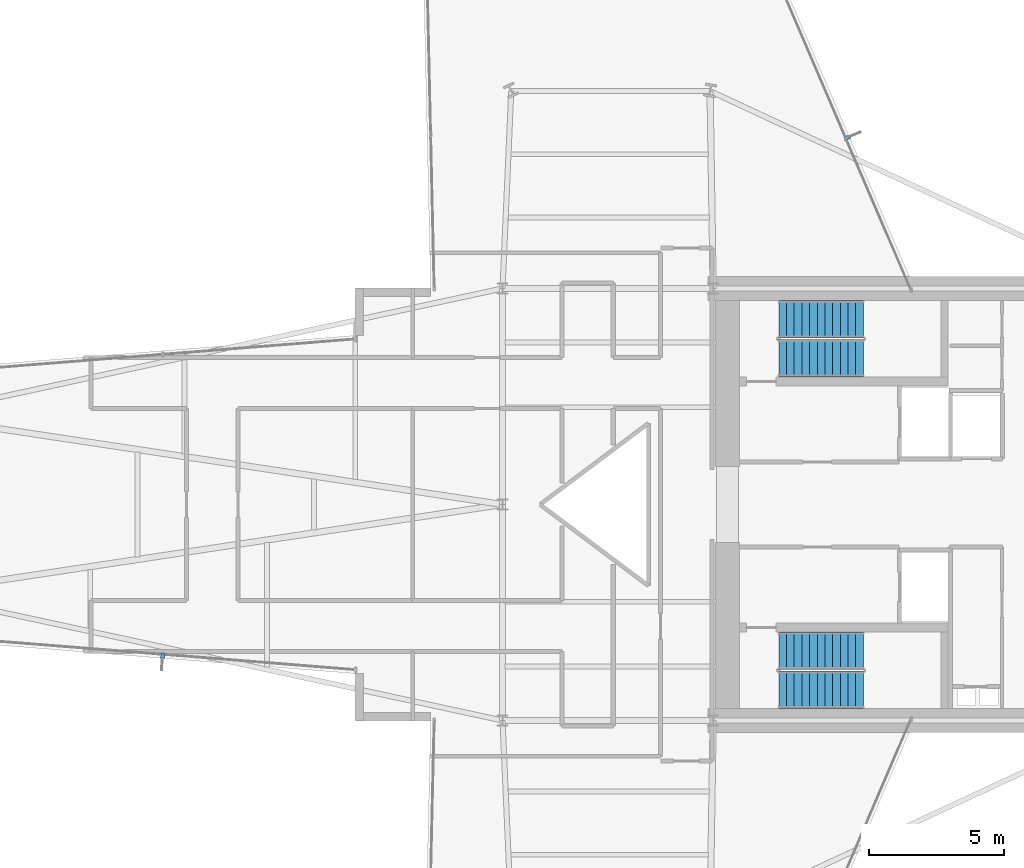
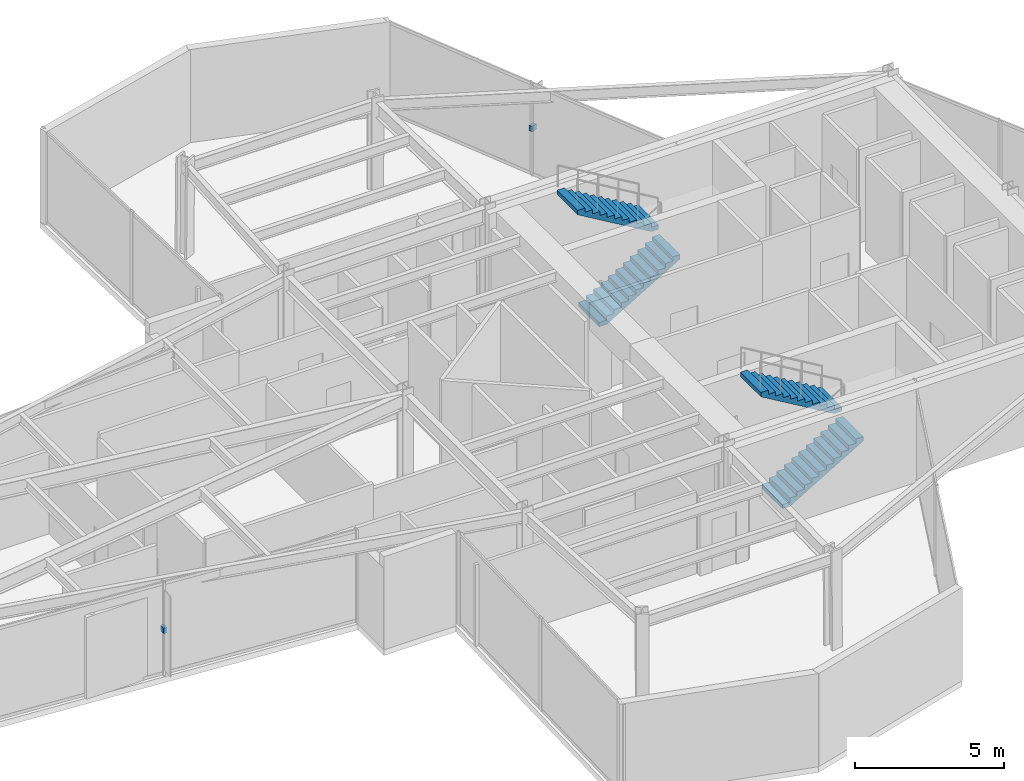
# One storey, part 25 of 27: 4 stair flights, 2 discrete accessories, 2 elements without a shape of their own.
"""IFC4 building model written with IfcOpenShell, lengths in metres."""

from ifc_helpers import new_model, si_unit, direction, frame, origin, origin_2d, place, context, subcontext, project, spatial, polyline, rectangle, outline, extrude, material, layer, layer_set, type_object, element, aggregate, save


model = new_model("IFC4")

# Units and contexts
model_context = context("Model", 3, precision=1e-05, world=origin(), true_north=direction((0.0, 1.0)))
body_context = subcontext(model_context, "Body", "Model", "MODEL_VIEW")
ifc_project = project(units=[si_unit("LENGTHUNIT", "METRE"), si_unit("AREAUNIT", "SQUARE_METRE"), si_unit("VOLUMEUNIT", "CUBIC_METRE"), si_unit("PLANEANGLEUNIT", "RADIAN"), si_unit("MASSUNIT", "GRAM", prefix="KILO")], contexts=[model_context])

# Site, building, storey
site_placement = place(None, origin())
site = spatial("IfcSite", under=ifc_project, at=site_placement, CompositionType="ELEMENT")
building_placement = place(site_placement, origin())
building = spatial("IfcBuilding", under=site, at=building_placement, Name="Veymaron Broadcast Tower", CompositionType="ELEMENT")
storey_placement = place(building_placement, frame((0.0, 0.0, 86.39990234375)))
storey = spatial("IfcBuildingStorey", under=building, at=storey_placement, Name="L19", CompositionType="ELEMENT", Elevation=86.39990234375)

# Stair, stair flights
ifc_material_1 = material(Name="Concrete C50/60", Category="concrete")
stair_type_1 = type_object("IfcStairType", Name="STAIR-CORE-1", PredefinedType="HALF_TURN_STAIR", material=ifc_material_1)
stair_1_placement = place(storey_placement, origin())
stair_1 = element("IfcStair", 1, at=stair_1_placement, inside=storey, type_object=stair_type_1, Name="L19 North protected dog-leg exit stair ST1", PredefinedType="HALF_TURN_STAIR")
ifc_material_2 = material(Name="Precast concrete C50/60", Category="concrete")
stair_flight_type = type_object("IfcStairFlightType", Name="FLT-CORE-RC", PredefinedType="STRAIGHT", material=ifc_material_2)
stair_flight_1_placement = place(storey_placement, frame((41.429931640625, 29.419921875, 0.0), z_axis=(0.0, 0.0, 1.0), x_axis=(1.0, 0.0, 0.0)))
stair_flight_1 = element("IfcStairFlight", 2, at=stair_flight_1_placement, type_object=stair_flight_type, Name="ST1 flight 1", NumberOfRisers=12, NumberOfTreads=11, PredefinedType="STRAIGHT", RiserHeight=0.16875, TreadLength=0.285, context=body_context, shape_type="SweptSolid", body=[
    extrude(outline(polyline([(0.0, 0.0), (0.0, 0.168701171875), (0.284912109375, 0.168701171875), (0.284912109375, 0.33740234375), (0.570068359375, 0.33740234375), (0.570068359375, 0.50634765625), (0.85498046875, 0.50634765625), (0.85498046875, 0.675048828125), (1.139892578125, 0.675048828125), (1.139892578125, 0.84375), (1.425048828125, 0.84375), (1.425048828125, 1.012451171875), (1.7099609375, 1.012451171875), (1.7099609375, 1.18115234375), (1.9951171875, 1.18115234375), (1.9951171875, 1.35009765625), (2.280029296875, 1.35009765625), (2.280029296875, 1.518798828125), (2.56494140625, 1.518798828125), (2.56494140625, 1.6875), (2.85009765625, 1.6875), (2.85009765625, 1.856201171875), (3.135009765625, 1.856201171875), (3.135009765625, 2.02490234375), (3.135009765625, 1.68212890625), (0.294189453125, 0.0), (0.0, 0.0)])), frame((0.0, 0.68994140625, 0.0), z_axis=(0.0, -1.0, 0.0), x_axis=(1.0, 0.0, 0.0)), (0.0, 0.0, 1.0), 1.3798828125),
])
stair_flight_2_placement = place(storey_placement, frame((44.56494140625, 30.860107421875, 2.025146484375), z_axis=(0.0, 0.0, 1.0), x_axis=(-1.0, 0.0, 0.0)))
stair_flight_2 = element("IfcStairFlight", 3, at=stair_flight_2_placement, type_object=stair_flight_type, Name="ST1 flight 2", NumberOfRisers=12, NumberOfTreads=11, PredefinedType="STRAIGHT", RiserHeight=0.16875, TreadLength=0.285, context=body_context, shape_type="SweptSolid", body=[
    extrude(outline(polyline([(0.0, 0.0), (0.0, 0.168701171875), (0.284912109375, 0.168701171875), (0.284912109375, 0.33740234375), (0.570068359375, 0.33740234375), (0.570068359375, 0.50634765625), (0.85498046875, 0.50634765625), (0.85498046875, 0.675048828125), (1.139892578125, 0.675048828125), (1.139892578125, 0.84375), (1.425048828125, 0.84375), (1.425048828125, 1.012451171875), (1.7099609375, 1.012451171875), (1.7099609375, 1.18115234375), (1.9951171875, 1.18115234375), (1.9951171875, 1.35009765625), (2.280029296875, 1.35009765625), (2.280029296875, 1.518798828125), (2.56494140625, 1.518798828125), (2.56494140625, 1.6875), (2.85009765625, 1.6875), (2.85009765625, 1.856201171875), (3.135009765625, 1.856201171875), (3.135009765625, 2.02490234375), (3.135009765625, 1.68212890625), (0.294189453125, 0.0), (0.0, 0.0)])), frame((0.0, 0.68994140625, 0.0), z_axis=(0.0, -1.0, 0.0), x_axis=(1.0, 0.0, 0.0)), (0.0, 0.0, 1.0), 1.3798828125),
])
aggregate(stair_1, [stair_flight_1, stair_flight_2])

stair_type_2 = type_object("IfcStairType", Name="STAIR-CORE-2", PredefinedType="HALF_TURN_STAIR", material=ifc_material_1)
stair_2_placement = place(storey_placement, origin())
stair_2 = element("IfcStair", 4, at=stair_2_placement, inside=storey, type_object=stair_type_2, Name="L19 South protected dog-leg exit stair ST2", PredefinedType="HALF_TURN_STAIR")
stair_flight_3_placement = place(storey_placement, frame((41.429931640625, 17.139892578125, 0.0), z_axis=(0.0, 0.0, 1.0), x_axis=(1.0, 0.0, 0.0)))
stair_flight_3 = element("IfcStairFlight", 5, at=stair_flight_3_placement, type_object=stair_flight_type, Name="ST2 flight 1", NumberOfRisers=12, NumberOfTreads=11, PredefinedType="STRAIGHT", RiserHeight=0.16875, TreadLength=0.285, context=body_context, shape_type="SweptSolid", body=[
    extrude(outline(polyline([(0.0, 0.0), (0.0, 0.168701171875), (0.284912109375, 0.168701171875), (0.284912109375, 0.33740234375), (0.570068359375, 0.33740234375), (0.570068359375, 0.50634765625), (0.85498046875, 0.50634765625), (0.85498046875, 0.675048828125), (1.139892578125, 0.675048828125), (1.139892578125, 0.84375), (1.425048828125, 0.84375), (1.425048828125, 1.012451171875), (1.7099609375, 1.012451171875), (1.7099609375, 1.18115234375), (1.9951171875, 1.18115234375), (1.9951171875, 1.35009765625), (2.280029296875, 1.35009765625), (2.280029296875, 1.518798828125), (2.56494140625, 1.518798828125), (2.56494140625, 1.6875), (2.85009765625, 1.6875), (2.85009765625, 1.856201171875), (3.135009765625, 1.856201171875), (3.135009765625, 2.02490234375), (3.135009765625, 1.68212890625), (0.294189453125, 0.0), (0.0, 0.0)])), frame((0.0, 0.68994140625, 0.0), z_axis=(0.0, -1.0, 0.0), x_axis=(1.0, 0.0, 0.0)), (0.0, 0.0, 1.0), 1.3798828125),
])
stair_flight_4_placement = place(storey_placement, frame((44.56494140625, 18.580078125, 2.025146484375), z_axis=(0.0, 0.0, 1.0), x_axis=(-1.0, 0.0, 0.0)))
stair_flight_4 = element("IfcStairFlight", 6, at=stair_flight_4_placement, type_object=stair_flight_type, Name="ST2 flight 2", NumberOfRisers=12, NumberOfTreads=11, PredefinedType="STRAIGHT", RiserHeight=0.16875, TreadLength=0.285, context=body_context, shape_type="SweptSolid", body=[
    extrude(outline(polyline([(0.0, 0.0), (0.0, 0.168701171875), (0.284912109375, 0.168701171875), (0.284912109375, 0.33740234375), (0.570068359375, 0.33740234375), (0.570068359375, 0.50634765625), (0.85498046875, 0.50634765625), (0.85498046875, 0.675048828125), (1.139892578125, 0.675048828125), (1.139892578125, 0.84375), (1.425048828125, 0.84375), (1.425048828125, 1.012451171875), (1.7099609375, 1.012451171875), (1.7099609375, 1.18115234375), (1.9951171875, 1.18115234375), (1.9951171875, 1.35009765625), (2.280029296875, 1.35009765625), (2.280029296875, 1.518798828125), (2.56494140625, 1.518798828125), (2.56494140625, 1.6875), (2.85009765625, 1.6875), (2.85009765625, 1.856201171875), (3.135009765625, 1.856201171875), (3.135009765625, 2.02490234375), (3.135009765625, 1.68212890625), (0.294189453125, 0.0), (0.0, 0.0)])), frame((0.0, 0.68994140625, 0.0), z_axis=(0.0, -1.0, 0.0), x_axis=(1.0, 0.0, 0.0)), (0.0, 0.0, 1.0), 1.3798828125),
])
aggregate(stair_2, [stair_flight_3, stair_flight_4])

# Discrete accessories
ifc_material_3 = material(Name="Austenitic stainless steel AISI 316L", Category="steel")
ifc_layer = layer(ifc_material_3, 0.1201171875)
ifc_layer_set = layer_set([ifc_layer], Name="Austenitic stainless steel AISI 316L")
discrete_accessory_type = type_object("IfcDiscreteAccessoryType", Name="ACC-BRKT-SS1", PredefinedType="BRACKET", material=ifc_layer_set)
for number, where, z_axis, x_axis, name in (
    (7, (43.9716796875, 37.58642578125, 1.794921875), (0.0, 0.0, 1.0), (0.918935829612, 0.394407075311, 0.0), "CW-L19-E6-1 fin bracket 1"),
    (8, (18.6142578125, 18.385009765625, 1.794921875), (0.0, 0.0, 1.0), (-0.079416031374, -0.996841559106, 0.0), "CW-L19-E14-1 fin bracket 1"),
):
    element("IfcDiscreteAccessory", number, at=place(storey_placement, frame(where, z_axis=z_axis, x_axis=x_axis)), inside=storey, type_object=discrete_accessory_type, Name=name, PredefinedType="BRACKET", context=body_context, shape_type="SweptSolid", body=[
        extrude(rectangle(XDim=0.219970703125, YDim=0.139892578125, at=origin_2d()), origin(), (0.0, 0.0, 1.0), 0.219970703125),
    ])

save(model, "model.ifc")
